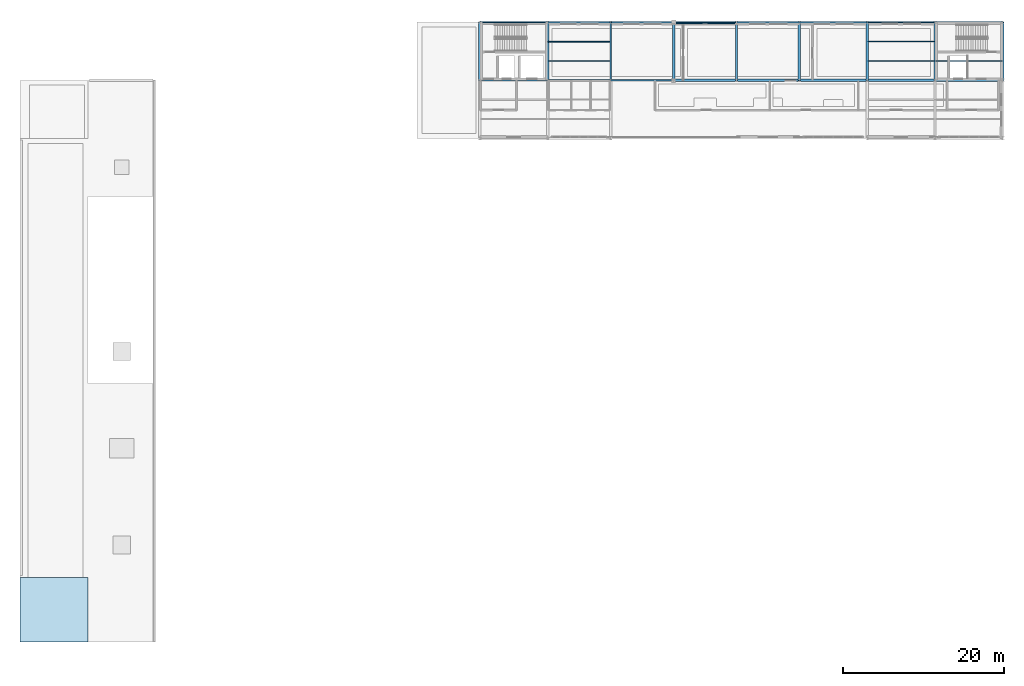
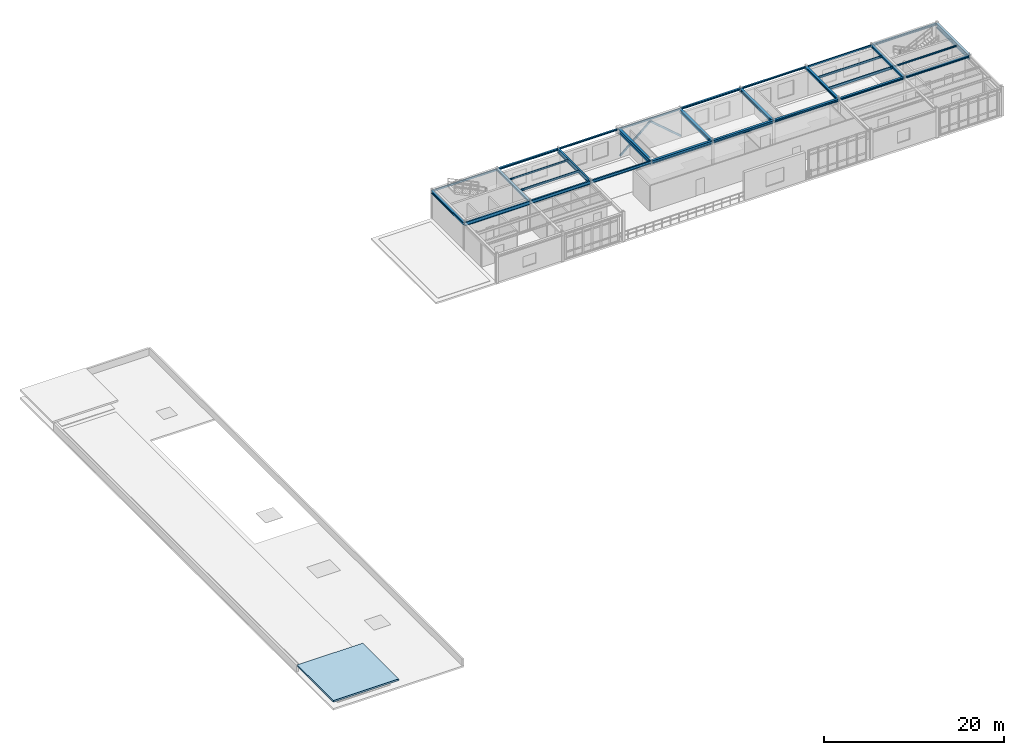
# One storey, part 8 of 20: 30 beams, 2 members, 1 slab.
"""IFC4 building model written with IfcOpenShell, lengths in metres."""

from ifc_helpers import new_model, si_unit, derived_unit, direction, frame, origin, origin_2d, place, context, subcontext, project, spatial, polyline, hollow_rectangle, i_section, outline, extrude, material, layer, layer_set, material_profile, profile_set, type_object, element, save


model = new_model("IFC4")

# Units and contexts
model_context = context("Model", 3, precision=1e-05, world=origin(), true_north=direction((0.0, 1.0)))
body_context = subcontext(model_context, "Body", "Model", "MODEL_VIEW")
ifc_project = project(units=[si_unit("LENGTHUNIT", "METRE"), si_unit("AREAUNIT", "SQUARE_METRE"), si_unit("VOLUMEUNIT", "CUBIC_METRE"), si_unit("PLANEANGLEUNIT", "RADIAN"), si_unit("MASSUNIT", "GRAM", prefix="KILO"), derived_unit("THERMALTRANSMITTANCEUNIT", [(si_unit("POWERUNIT", "WATT"), 1), (si_unit("AREAUNIT", "SQUARE_METRE"), -1), (si_unit("THERMODYNAMICTEMPERATUREUNIT", "KELVIN"), -1)])], contexts=[model_context])

# Site, building, storey
site_placement = place(None, origin())
site = spatial("IfcSite", under=ifc_project, at=site_placement, CompositionType="ELEMENT")
building_placement = place(site_placement, origin())
building = spatial("IfcBuilding", under=site, at=building_placement, Name="Yasenodar Specialist Clinic", CompositionType="ELEMENT")
storey_placement = place(building_placement, frame((0.0, 0.0, 25.35009765625)))
storey = spatial("IfcBuildingStorey", under=building, at=storey_placement, Name="L06", CompositionType="ELEMENT", Elevation=25.35009765625)

# Beams
ifc_material_1 = material(Name="Steel S355", Category="steel")
ifc_material_profile_1 = material_profile(ifc_material_1, i_section(OverallWidth=0.260009765625, OverallDepth=0.25, WebThickness=0.007568359375, FlangeThickness=0.012451171875, FilletRadius=0.02392578125, at=origin_2d()), Name="HEA 260")
ifc_profile_set_1 = profile_set([ifc_material_profile_1], Name="Steel S355")
beam_type_1 = type_object("IfcBeamType", Name="BM-HEA260", PredefinedType="BEAM", material=ifc_profile_set_1)
beam_1_placement = place(storey_placement, frame((113.39990234375, 104.39990234375, 3.684814453125), z_axis=(1.0, 0.0, 0.0), x_axis=(0.0, 1.0, 0.0)))
element("IfcBeam", 1, at=beam_1_placement, inside=storey, type_object=beam_type_1, Name="L06 Primary E-W Girder", PredefinedType="BEAM", context=body_context, shape_type="SweptSolid", body=[
    extrude(i_section(OverallWidth=0.260009765625, OverallDepth=0.25, WebThickness=0.007568359375, FlangeThickness=0.012451171875, FilletRadius=0.02392578125, at=origin_2d()), origin(), (0.0, 0.0, 1.0), 8.400146484375),
])
ifc_material_profile_2 = material_profile(ifc_material_1, i_section(OverallWidth=0.280029296875, OverallDepth=0.27001953125, WebThickness=0.008056640625, FlangeThickness=0.012939453125, FilletRadius=0.02392578125, at=origin_2d()), Name="HEA 280")
ifc_profile_set_2 = profile_set([ifc_material_profile_2], Name="Steel S355")
beam_type_2 = type_object("IfcBeamType", Name="BM-HEA280", PredefinedType="BEAM", material=ifc_profile_set_2)
beam_2_placement = place(storey_placement, frame((105.0, 104.39990234375, 3.6748046875), z_axis=(1.0, 0.0, 0.0), x_axis=(0.0, 1.0, 0.0)))
element("IfcBeam", 2, at=beam_2_placement, inside=storey, type_object=beam_type_2, Name="L06 Primary E-W Girder", PredefinedType="BEAM", context=body_context, shape_type="SweptSolid", body=[
    extrude(i_section(OverallWidth=0.280029296875, OverallDepth=0.27001953125, WebThickness=0.008056640625, FlangeThickness=0.012939453125, FilletRadius=0.02392578125, at=origin_2d()), origin(), (0.0, 0.0, 1.0), 8.39990234375),
])
ifc_material_profile_3 = material_profile(ifc_material_1, i_section(OverallWidth=0.300048828125, OverallDepth=0.2900390625, WebThickness=0.008544921875, FlangeThickness=0.013916015625, FilletRadius=0.027099609375, at=origin_2d()), Name="HEA 300")
ifc_profile_set_3 = profile_set([ifc_material_profile_3], Name="Steel S355")
beam_type_3 = type_object("IfcBeamType", Name="BM-HEA300", PredefinedType="BEAM", material=ifc_profile_set_3)
beam_3_placement = place(storey_placement, frame((113.39990234375, 104.39990234375, 3.664794921875), z_axis=(0.0, 1.0, 0.0), x_axis=(-1.0, 0.0, 0.0)))
element("IfcBeam", 3, at=beam_3_placement, inside=storey, type_object=beam_type_3, Name="L06 Primary N-S Girder", PredefinedType="BEAM", context=body_context, shape_type="SweptSolid", body=[
    extrude(i_section(OverallWidth=0.300048828125, OverallDepth=0.2900390625, WebThickness=0.008544921875, FlangeThickness=0.013916015625, FilletRadius=0.027099609375, at=origin_2d()), origin(), (0.0, 0.0, 1.0), 7.2001953125),
])
ifc_material_profile_4 = material_profile(ifc_material_1, i_section(OverallWidth=0.300048828125, OverallDepth=0.330078125, WebThickness=0.009521484375, FlangeThickness=0.0166015625, FilletRadius=0.027099609375, at=origin_2d()), Name="HEA 340")
ifc_profile_set_4 = profile_set([ifc_material_profile_4], Name="Steel S355")
beam_type_4 = type_object("IfcBeamType", Name="BM-HEA340", PredefinedType="BEAM", material=ifc_profile_set_4)
beam_4_placement = place(storey_placement, frame((96.60009765625, 104.39990234375, 3.64501953125), z_axis=(1.0, 0.0, 0.0), x_axis=(0.0, 1.0, 0.0)))
element("IfcBeam", 4, at=beam_4_placement, inside=storey, type_object=beam_type_4, Name="L06 Primary E-W Girder", PredefinedType="BEAM", context=body_context, shape_type="SweptSolid", body=[
    extrude(i_section(OverallWidth=0.300048828125, OverallDepth=0.330078125, WebThickness=0.009521484375, FlangeThickness=0.0166015625, FilletRadius=0.027099609375, at=origin_2d()), origin(), (0.0, 0.0, 1.0), 8.39990234375),
])
ifc_material_profile_5 = material_profile(ifc_material_1, i_section(OverallWidth=0.300048828125, OverallDepth=0.389892578125, WebThickness=0.010986328125, FlangeThickness=0.01904296875, FilletRadius=0.027099609375, at=origin_2d()), Name="HEA 400")
ifc_profile_set_5 = profile_set([ifc_material_profile_5], Name="Steel S355")
beam_type_5 = type_object("IfcBeamType", Name="BM-HEA400", PredefinedType="BEAM", material=ifc_profile_set_5)
beam_5_placement = place(storey_placement, frame((88.800048828125, 104.39990234375, 3.614990234375), z_axis=(1.0, 0.0, 0.0), x_axis=(0.0, 1.0, 0.0)))
element("IfcBeam", 5, at=beam_5_placement, inside=storey, type_object=beam_type_5, Name="L06 Primary E-W Girder", PredefinedType="BEAM", context=body_context, shape_type="SweptSolid", body=[
    extrude(i_section(OverallWidth=0.300048828125, OverallDepth=0.389892578125, WebThickness=0.010986328125, FlangeThickness=0.01904296875, FilletRadius=0.027099609375, at=origin_2d()), origin(), (0.0, 0.0, 1.0), 7.800048828125),
])
ifc_material_profile_6 = material_profile(ifc_material_1, i_section(OverallWidth=0.300048828125, OverallDepth=0.43994140625, WebThickness=0.011474609375, FlangeThickness=0.02099609375, FilletRadius=0.027099609375, at=origin_2d()), Name="HEA 450")
ifc_profile_set_6 = profile_set([ifc_material_profile_6], Name="Steel S355")
beam_type_6 = type_object("IfcBeamType", Name="BM-HEA450", PredefinedType="BEAM", material=ifc_profile_set_6)
beam_6_placement = place(storey_placement, frame((81.0, 104.39990234375, 3.58984375), z_axis=(1.0, 0.0, 0.0), x_axis=(0.0, 1.0, 0.0)))
element("IfcBeam", 6, at=beam_6_placement, inside=storey, type_object=beam_type_6, Name="L06 Primary E-W Girder", PredefinedType="BEAM", context=body_context, shape_type="SweptSolid", body=[
    extrude(i_section(OverallWidth=0.300048828125, OverallDepth=0.43994140625, WebThickness=0.011474609375, FlangeThickness=0.02099609375, FilletRadius=0.027099609375, at=origin_2d()), origin(), (0.0, 0.0, 1.0), 7.800048828125),
])
ifc_material_profile_7 = material_profile(ifc_material_1, i_section(OverallWidth=0.280029296875, OverallDepth=0.280029296875, WebThickness=0.010498046875, FlangeThickness=0.01806640625, FilletRadius=0.02392578125, at=origin_2d()), Name="HEB 280")
ifc_profile_set_7 = profile_set([ifc_material_profile_7], Name="Steel S355")
beam_type_7 = type_object("IfcBeamType", Name="BM-HEB280", PredefinedType="BEAM", material=ifc_profile_set_7)
beam_7_placement = place(storey_placement, frame((65.39990234375, 104.39990234375, 3.669921875), z_axis=(0.0, 1.0, 0.0), x_axis=(-1.0, 0.0, 0.0)))
element("IfcBeam", 7, at=beam_7_placement, inside=storey, type_object=beam_type_7, Name="L06 Primary N-S Girder", PredefinedType="BEAM", context=body_context, shape_type="SweptSolid", body=[
    extrude(i_section(OverallWidth=0.280029296875, OverallDepth=0.280029296875, WebThickness=0.010498046875, FlangeThickness=0.01806640625, FilletRadius=0.02392578125, at=origin_2d()), origin(), (0.0, 0.0, 1.0), 7.2001953125),
])
ifc_material_profile_8 = material_profile(ifc_material_1, i_section(OverallWidth=0.300048828125, OverallDepth=0.300048828125, WebThickness=0.010986328125, FlangeThickness=0.01904296875, FilletRadius=0.027099609375, at=origin_2d()), Name="HEB 300")
ifc_profile_set_8 = profile_set([ifc_material_profile_8], Name="Steel S355")
beam_type_8 = type_object("IfcBeamType", Name="BM-HEB300", PredefinedType="BEAM", material=ifc_profile_set_8)
beam_8_placement = place(storey_placement, frame((105.0, 104.39990234375, 3.659912109375), z_axis=(0.0, 1.0, 0.0), x_axis=(-1.0, 0.0, 0.0)))
element("IfcBeam", 8, at=beam_8_placement, inside=storey, type_object=beam_type_8, Name="L06 Primary N-S Girder", PredefinedType="BEAM", context=body_context, shape_type="SweptSolid", body=[
    extrude(i_section(OverallWidth=0.300048828125, OverallDepth=0.300048828125, WebThickness=0.010986328125, FlangeThickness=0.01904296875, FilletRadius=0.027099609375, at=origin_2d()), origin(), (0.0, 0.0, 1.0), 7.2001953125),
])
ifc_material_profile_9 = material_profile(ifc_material_1, i_section(OverallWidth=0.300048828125, OverallDepth=0.340087890625, WebThickness=0.011962890625, FlangeThickness=0.021484375, FilletRadius=0.027099609375, at=origin_2d()), Name="HEB 340")
ifc_profile_set_9 = profile_set([ifc_material_profile_9], Name="Steel S355")
beam_type_9 = type_object("IfcBeamType", Name="BM-HEB340", PredefinedType="BEAM", material=ifc_profile_set_9)
beam_9_placement = place(storey_placement, frame((57.0, 104.39990234375, 3.639892578125), z_axis=(0.0, 1.0, 0.0), x_axis=(-1.0, 0.0, 0.0)))
element("IfcBeam", 9, at=beam_9_placement, inside=storey, type_object=beam_type_9, Name="L06 Primary N-S Girder", PredefinedType="BEAM", context=body_context, shape_type="SweptSolid", body=[
    extrude(i_section(OverallWidth=0.300048828125, OverallDepth=0.340087890625, WebThickness=0.011962890625, FlangeThickness=0.021484375, FilletRadius=0.027099609375, at=origin_2d()), origin(), (0.0, 0.0, 1.0), 7.2001953125),
])
ifc_material_profile_10 = material_profile(ifc_material_1, i_section(OverallWidth=0.300048828125, OverallDepth=0.39990234375, WebThickness=0.013427734375, FlangeThickness=0.02392578125, FilletRadius=0.027099609375, at=origin_2d()), Name="HEB 400")
ifc_profile_set_10 = profile_set([ifc_material_profile_10], Name="Steel S355")
beam_type_10 = type_object("IfcBeamType", Name="BM-HEB400", PredefinedType="BEAM", material=ifc_profile_set_10)
beam_10_placement = place(storey_placement, frame((96.60009765625, 104.39990234375, 3.60986328125), z_axis=(0.0, 1.0, 0.0), x_axis=(-1.0, 0.0, 0.0)))
element("IfcBeam", 10, at=beam_10_placement, inside=storey, type_object=beam_type_10, Name="L06 Primary N-S Girder", PredefinedType="BEAM", context=body_context, shape_type="SweptSolid", body=[
    extrude(i_section(OverallWidth=0.300048828125, OverallDepth=0.39990234375, WebThickness=0.013427734375, FlangeThickness=0.02392578125, FilletRadius=0.027099609375, at=origin_2d()), origin(), (0.0, 0.0, 1.0), 7.2001953125),
])
ifc_material_profile_11 = material_profile(ifc_material_1, i_section(OverallWidth=0.300048828125, OverallDepth=0.449951171875, WebThickness=0.013916015625, FlangeThickness=0.02587890625, FilletRadius=0.027099609375, at=origin_2d()), Name="HEB 450")
ifc_profile_set_11 = profile_set([ifc_material_profile_11], Name="Steel S355")
beam_type_11 = type_object("IfcBeamType", Name="BM-HEB450", PredefinedType="BEAM", material=ifc_profile_set_11)
beam_11_placement = place(storey_placement, frame((88.800048828125, 104.39990234375, 3.5849609375), z_axis=(0.0, 1.0, 0.0), x_axis=(-1.0, 0.0, 0.0)))
element("IfcBeam", 11, at=beam_11_placement, inside=storey, type_object=beam_type_11, Name="L06 Primary N-S Girder", PredefinedType="BEAM", context=body_context, shape_type="SweptSolid", body=[
    extrude(i_section(OverallWidth=0.300048828125, OverallDepth=0.449951171875, WebThickness=0.013916015625, FlangeThickness=0.02587890625, FilletRadius=0.027099609375, at=origin_2d()), origin(), (0.0, 0.0, 1.0), 7.2001953125),
])
ifc_material_profile_12 = material_profile(ifc_material_1, i_section(OverallWidth=0.300048828125, OverallDepth=0.60009765625, WebThickness=0.015380859375, FlangeThickness=0.030029296875, FilletRadius=0.027099609375, at=origin_2d()), Name="HEB 600")
ifc_profile_set_12 = profile_set([ifc_material_profile_12], Name="Steel S355")
beam_type_12 = type_object("IfcBeamType", Name="BM-HEB600", PredefinedType="BEAM", material=ifc_profile_set_12)
for number, where, z_axis, x_axis, name in (
    (12, (81.0, 104.39990234375, 3.510009765625), (0.0, 1.0, 0.0), (-1.0, 0.0, 0.0), "L06 Primary N-S Girder"),
    (13, (121.800048828125, 104.39990234375, 3.510009765625), (0.0, 1.0, 0.0), (-1.0, 0.0, 0.0), "L06 Primary N-S Girder"),
):
    element("IfcBeam", number, at=place(storey_placement, frame(where, z_axis=z_axis, x_axis=x_axis)), inside=storey, type_object=beam_type_12, Name=name, PredefinedType="BEAM", context=body_context, shape_type="SweptSolid", body=[
        extrude(i_section(OverallWidth=0.300048828125, OverallDepth=0.60009765625, WebThickness=0.015380859375, FlangeThickness=0.030029296875, FilletRadius=0.027099609375, at=origin_2d()), origin(), (0.0, 0.0, 1.0), 7.2001953125),
    ])
ifc_material_profile_13 = material_profile(ifc_material_1, i_section(OverallWidth=0.179931640625, OverallDepth=0.39990234375, WebThickness=0.008544921875, FlangeThickness=0.013427734375, FilletRadius=0.02099609375, at=origin_2d()), Name="IPE 400")
ifc_profile_set_13 = profile_set([ifc_material_profile_13], Name="Steel S355")
beam_type_13 = type_object("IfcBeamType", Name="BM-IPE400", PredefinedType="BEAM", material=ifc_profile_set_13)
beam_12_placement = place(storey_placement, frame((73.199951171875, 104.39990234375, 3.60986328125), z_axis=(1.0, 0.0, 0.0), x_axis=(0.0, 1.0, 0.0)))
element("IfcBeam", 14, at=beam_12_placement, inside=storey, type_object=beam_type_13, Name="L06 Primary E-W Girder", PredefinedType="BEAM", context=body_context, shape_type="SweptSolid", body=[
    extrude(i_section(OverallWidth=0.179931640625, OverallDepth=0.39990234375, WebThickness=0.008544921875, FlangeThickness=0.013427734375, FilletRadius=0.02099609375, at=origin_2d()), origin(), (0.0, 0.0, 1.0), 7.800048828125),
])
ifc_material_profile_14 = material_profile(ifc_material_1, i_section(OverallWidth=0.18994140625, OverallDepth=0.449951171875, WebThickness=0.009521484375, FlangeThickness=0.0146484375, FilletRadius=0.02099609375, at=origin_2d()), Name="IPE 450")
ifc_profile_set_14 = profile_set([ifc_material_profile_14], Name="Steel S355")
beam_type_14 = type_object("IfcBeamType", Name="BM-IPE450", PredefinedType="BEAM", material=ifc_profile_set_14)
beam_13_placement = place(storey_placement, frame((65.39990234375, 104.39990234375, 3.5849609375), z_axis=(1.0, 0.0, 0.0), x_axis=(0.0, 1.0, 0.0)))
element("IfcBeam", 15, at=beam_13_placement, inside=storey, type_object=beam_type_14, Name="L06 Primary E-W Girder", PredefinedType="BEAM", context=body_context, shape_type="SweptSolid", body=[
    extrude(i_section(OverallWidth=0.18994140625, OverallDepth=0.449951171875, WebThickness=0.009521484375, FlangeThickness=0.0146484375, FilletRadius=0.02099609375, at=origin_2d()), origin(), (0.0, 0.0, 1.0), 7.800048828125),
])
ifc_material_profile_15 = material_profile(ifc_material_1, i_section(OverallWidth=0.199951171875, OverallDepth=0.5, WebThickness=0.01025390625, FlangeThickness=0.01611328125, FilletRadius=0.02099609375, at=origin_2d()), Name="IPE 500")
ifc_profile_set_15 = profile_set([ifc_material_profile_15], Name="Steel S355")
beam_type_15 = type_object("IfcBeamType", Name="BM-IPE500", PredefinedType="BEAM", material=ifc_profile_set_15)
beam_14_placement = place(storey_placement, frame((57.0, 104.39990234375, 3.559814453125), z_axis=(1.0, 0.0, 0.0), x_axis=(0.0, 1.0, 0.0)))
element("IfcBeam", 16, at=beam_14_placement, inside=storey, type_object=beam_type_15, Name="L06 Primary E-W Girder", PredefinedType="BEAM", context=body_context, shape_type="SweptSolid", body=[
    extrude(i_section(OverallWidth=0.199951171875, OverallDepth=0.5, WebThickness=0.01025390625, FlangeThickness=0.01611328125, FilletRadius=0.02099609375, at=origin_2d()), origin(), (0.0, 0.0, 1.0), 8.39990234375),
])
ifc_material_profile_16 = material_profile(ifc_material_1, i_section(OverallWidth=0.2099609375, OverallDepth=0.550048828125, WebThickness=0.010986328125, FlangeThickness=0.01708984375, FilletRadius=0.02392578125, at=origin_2d()), Name="IPE 550")
ifc_profile_set_16 = profile_set([ifc_material_profile_16], Name="Steel S355")
beam_type_16 = type_object("IfcBeamType", Name="BM-IPE550", PredefinedType="BEAM", material=ifc_profile_set_16)
beam_15_placement = place(storey_placement, frame((73.199951171875, 104.39990234375, 3.534912109375), z_axis=(0.0, 1.0, 0.0), x_axis=(-1.0, 0.0, 0.0)))
element("IfcBeam", 17, at=beam_15_placement, inside=storey, type_object=beam_type_16, Name="L06 Primary N-S Girder", PredefinedType="BEAM", context=body_context, shape_type="SweptSolid", body=[
    extrude(i_section(OverallWidth=0.2099609375, OverallDepth=0.550048828125, WebThickness=0.010986328125, FlangeThickness=0.01708984375, FilletRadius=0.02392578125, at=origin_2d()), origin(), (0.0, 0.0, 1.0), 7.2001953125),
])

# Members
ifc_material_profile_17 = material_profile(ifc_material_1, hollow_rectangle(XDim=0.14990234375, YDim=0.25, WallThickness=0.010009765625, InnerFilletRadius=0.014892578125, OuterFilletRadius=0.02490234375, at=origin_2d()), Name="RHS 250x150x10")
ifc_profile_set_17 = profile_set([ifc_material_profile_17], Name="Steel S355")
member_type = type_object("IfcMemberType", Name="BR-LAT-RHS250", PredefinedType="BRACE", material=ifc_profile_set_17)
for number, where, z_axis, x_axis, name in (
    (18, (81.0, 111.425048828125, 0.14990234375), (0.758552238015, 0.0, 0.651612233006), (0.0, 1.0, 0.0), "L06 Lateral Chevron Brace 10A"),
    (19, (88.800048828125, 111.425048828125, 0.14990234375), (-0.758572399699, 0.0, 0.651588761732), (0.0, -1.0, 0.0), "L06 Lateral Chevron Brace 10B"),
):
    element("IfcMember", number, at=place(storey_placement, frame(where, z_axis=z_axis, x_axis=x_axis)), inside=storey, type_object=member_type, Name=name, PredefinedType="BRACE", context=body_context, shape_type="SweptSolid", body=[
        extrude(hollow_rectangle(XDim=0.14990234375, YDim=0.25, WallThickness=0.010009765625, InnerFilletRadius=0.014892578125, OuterFilletRadius=0.02490234375, at=origin_2d()), origin(), (0.0, 0.0, 1.0), 5.141357421875),
    ])

# Beams
ifc_material_profile_18 = material_profile(ifc_material_1, i_section(OverallWidth=0.110107421875, OverallDepth=0.219970703125, WebThickness=0.005859375, FlangeThickness=0.00927734375, FilletRadius=0.011962890625, at=origin_2d()), Name="IPE 220")
ifc_profile_set_18 = profile_set([ifc_material_profile_18], Name="Steel S355")
beam_type_17 = type_object("IfcBeamType", Name="JS-IPE220", PredefinedType="JOIST", material=ifc_profile_set_18)
beam_16_placement = place(storey_placement, frame((65.47998046875, 109.199951171875, 3.699951171875), z_axis=(1.0, 0.0, 0.0), x_axis=(0.0, 1.0, 0.0)))
element("IfcBeam", 20, at=beam_16_placement, inside=storey, type_object=beam_type_17, Name="L06 Composite Floor Joist", PredefinedType="JOIST", context=body_context, shape_type="SweptSolid", body=[
    extrude(i_section(OverallWidth=0.110107421875, OverallDepth=0.219970703125, WebThickness=0.005859375, FlangeThickness=0.00927734375, FilletRadius=0.011962890625, at=origin_2d()), origin(), (0.0, 0.0, 1.0), 7.64013671875),
])
beam_17_placement = place(storey_placement, frame((113.47998046875, 106.800048828125, 3.699951171875), z_axis=(1.0, 0.0, 0.0), x_axis=(0.0, 1.0, 0.0)))
element("IfcBeam", 21, at=beam_17_placement, inside=storey, type_object=beam_type_17, Name="L06 Composite Floor Joist", PredefinedType="JOIST", context=body_context, shape_type="SweptSolid", body=[
    extrude(i_section(OverallWidth=0.110107421875, OverallDepth=0.219970703125, WebThickness=0.005859375, FlangeThickness=0.00927734375, FilletRadius=0.011962890625, at=origin_2d()), origin(), (0.0, 0.0, 1.0), 8.239990234375),
])
ifc_material_profile_19 = material_profile(ifc_material_1, i_section(OverallWidth=0.135009765625, OverallDepth=0.27001953125, WebThickness=0.006591796875, FlangeThickness=0.01025390625, FilletRadius=0.014892578125, at=origin_2d()), Name="IPE 270")
ifc_profile_set_19 = profile_set([ifc_material_profile_19], Name="Steel S355")
beam_type_18 = type_object("IfcBeamType", Name="JS-IPE270", PredefinedType="JOIST", material=ifc_profile_set_19)
beam_18_placement = place(storey_placement, frame((65.47998046875, 106.800048828125, 3.6748046875), z_axis=(1.0, 0.0, 0.0), x_axis=(0.0, 1.0, 0.0)))
element("IfcBeam", 22, at=beam_18_placement, inside=storey, type_object=beam_type_18, Name="L06 Composite Floor Joist", PredefinedType="JOIST", context=body_context, shape_type="SweptSolid", body=[
    extrude(i_section(OverallWidth=0.135009765625, OverallDepth=0.27001953125, WebThickness=0.006591796875, FlangeThickness=0.01025390625, FilletRadius=0.014892578125, at=origin_2d()), origin(), (0.0, 0.0, 1.0), 7.64013671875),
])
beam_19_placement = place(storey_placement, frame((105.080078125, 109.199951171875, 3.6748046875), z_axis=(1.0, 0.0, 0.0), x_axis=(0.0, 1.0, 0.0)))
element("IfcBeam", 23, at=beam_19_placement, inside=storey, type_object=beam_type_18, Name="L06 Composite Floor Joist", PredefinedType="JOIST", context=body_context, shape_type="SweptSolid", body=[
    extrude(i_section(OverallWidth=0.135009765625, OverallDepth=0.27001953125, WebThickness=0.006591796875, FlangeThickness=0.01025390625, FilletRadius=0.014892578125, at=origin_2d()), origin(), (0.0, 0.0, 1.0), 8.239990234375),
])
ifc_material_profile_20 = material_profile(ifc_material_1, i_section(OverallWidth=0.159912109375, OverallDepth=0.330078125, WebThickness=0.007568359375, FlangeThickness=0.011474609375, FilletRadius=0.01806640625, at=origin_2d()), Name="IPE 330")
ifc_profile_set_20 = profile_set([ifc_material_profile_20], Name="Steel S355")
beam_type_19 = type_object("IfcBeamType", Name="JS-IPE330", PredefinedType="JOIST", material=ifc_profile_set_20)
beam_20_placement = place(storey_placement, frame((105.080078125, 106.800048828125, 3.64501953125), z_axis=(1.0, 0.0, 0.0), x_axis=(0.0, 1.0, 0.0)))
element("IfcBeam", 24, at=beam_20_placement, inside=storey, type_object=beam_type_19, Name="L06 Composite Floor Joist", PredefinedType="JOIST", context=body_context, shape_type="SweptSolid", body=[
    extrude(i_section(OverallWidth=0.159912109375, OverallDepth=0.330078125, WebThickness=0.007568359375, FlangeThickness=0.011474609375, FilletRadius=0.01806640625, at=origin_2d()), origin(), (0.0, 0.0, 1.0), 8.239990234375),
])
ifc_material_profile_21 = material_profile(ifc_material_1, i_section(OverallWidth=0.199951171875, OverallDepth=0.18994140625, WebThickness=0.006591796875, FlangeThickness=0.010009765625, FilletRadius=0.01806640625, at=origin_2d()), Name="HEA 200")
ifc_profile_set_21 = profile_set([ifc_material_profile_21], Name="Steel S355")
beam_type_20 = type_object("IfcBeamType", Name="SP-HEA200", PredefinedType="SPANDREL", material=ifc_profile_set_21)
beam_21_placement = place(storey_placement, frame((73.199951171875, 111.60009765625, 3.71484375), z_axis=(1.0, 0.0, 0.0), x_axis=(0.0, 1.0, 0.0)))
element("IfcBeam", 25, at=beam_21_placement, inside=storey, type_object=beam_type_20, Name="L06 Perimeter Spandrel Beam", PredefinedType="SPANDREL", context=body_context, shape_type="SweptSolid", body=[
    extrude(i_section(OverallWidth=0.199951171875, OverallDepth=0.18994140625, WebThickness=0.006591796875, FlangeThickness=0.010009765625, FilletRadius=0.01806640625, at=origin_2d()), origin(), (0.0, 0.0, 1.0), 7.800048828125),
])
beam_22_placement = place(storey_placement, frame((96.60009765625, 111.60009765625, 3.71484375), z_axis=(1.0, 0.0, 0.0), x_axis=(0.0, 1.0, 0.0)))
element("IfcBeam", 26, at=beam_22_placement, inside=storey, type_object=beam_type_20, Name="L06 Perimeter Spandrel Beam", PredefinedType="SPANDREL", context=body_context, shape_type="SweptSolid", body=[
    extrude(i_section(OverallWidth=0.199951171875, OverallDepth=0.18994140625, WebThickness=0.006591796875, FlangeThickness=0.010009765625, FilletRadius=0.01806640625, at=origin_2d()), origin(), (0.0, 0.0, 1.0), 8.39990234375),
])
ifc_material_profile_22 = material_profile(ifc_material_1, i_section(OverallWidth=0.239990234375, OverallDepth=0.22998046875, WebThickness=0.007568359375, FlangeThickness=0.011962890625, FilletRadius=0.02099609375, at=origin_2d()), Name="HEA 240")
ifc_profile_set_22 = profile_set([ifc_material_profile_22], Name="Steel S355")
beam_type_21 = type_object("IfcBeamType", Name="SP-HEA240", PredefinedType="SPANDREL", material=ifc_profile_set_22)
for number, where, z_axis, x_axis, name in (
    (27, (65.39990234375, 111.60009765625, 3.69482421875), (1.0, 0.0, 0.0), (0.0, 1.0, 0.0), "L06 Perimeter Spandrel Beam"),
    (28, (88.800048828125, 111.60009765625, 3.69482421875), (1.0, 0.0, 0.0), (0.0, 1.0, 0.0), "L06 Perimeter Spandrel Beam"),
):
    element("IfcBeam", number, at=place(storey_placement, frame(where, z_axis=z_axis, x_axis=x_axis)), inside=storey, type_object=beam_type_21, Name=name, PredefinedType="SPANDREL", context=body_context, shape_type="SweptSolid", body=[
        extrude(i_section(OverallWidth=0.239990234375, OverallDepth=0.22998046875, WebThickness=0.007568359375, FlangeThickness=0.011962890625, FilletRadius=0.02099609375, at=origin_2d()), origin(), (0.0, 0.0, 1.0), 7.800048828125),
    ])
beam_23_placement = place(storey_placement, frame((113.39990234375, 111.60009765625, 3.69482421875), z_axis=(1.0, 0.0, 0.0), x_axis=(0.0, 1.0, 0.0)))
element("IfcBeam", 29, at=beam_23_placement, inside=storey, type_object=beam_type_21, Name="L06 Perimeter Spandrel Beam", PredefinedType="SPANDREL", context=body_context, shape_type="SweptSolid", body=[
    extrude(i_section(OverallWidth=0.239990234375, OverallDepth=0.22998046875, WebThickness=0.007568359375, FlangeThickness=0.011962890625, FilletRadius=0.02099609375, at=origin_2d()), origin(), (0.0, 0.0, 1.0), 8.400146484375),
])
ifc_material_profile_23 = material_profile(ifc_material_1, hollow_rectangle(XDim=0.14990234375, YDim=0.25, WallThickness=0.010009765625, InnerFilletRadius=0.014892578125, OuterFilletRadius=0.02490234375, at=origin_2d()), Name="RHS 250x150x10")
ifc_profile_set_23 = profile_set([ifc_material_profile_23], Name="Steel S355")
beam_type_22 = type_object("IfcBeamType", Name="SP-RHS250", PredefinedType="SPANDREL", material=ifc_profile_set_23)
beam_24_placement = place(storey_placement, frame((57.0, 111.60009765625, 3.684814453125), z_axis=(1.0, 0.0, 0.0), x_axis=(0.0, 1.0, 0.0)))
element("IfcBeam", 30, at=beam_24_placement, inside=storey, type_object=beam_type_22, Name="L06 Perimeter Spandrel Beam", PredefinedType="SPANDREL", context=body_context, shape_type="SweptSolid", body=[
    extrude(hollow_rectangle(XDim=0.14990234375, YDim=0.25, WallThickness=0.010009765625, InnerFilletRadius=0.014892578125, OuterFilletRadius=0.02490234375, at=origin_2d()), origin(), (0.0, 0.0, 1.0), 8.39990234375),
])
beam_25_placement = place(storey_placement, frame((81.0, 111.60009765625, 3.684814453125), z_axis=(1.0, 0.0, 0.0), x_axis=(0.0, 1.0, 0.0)))
element("IfcBeam", 31, at=beam_25_placement, inside=storey, type_object=beam_type_22, Name="L06 Perimeter Spandrel Beam", PredefinedType="SPANDREL", context=body_context, shape_type="SweptSolid", body=[
    extrude(hollow_rectangle(XDim=0.14990234375, YDim=0.25, WallThickness=0.010009765625, InnerFilletRadius=0.014892578125, OuterFilletRadius=0.02490234375, at=origin_2d()), origin(), (0.0, 0.0, 1.0), 7.800048828125),
])
beam_26_placement = place(storey_placement, frame((105.0, 111.60009765625, 3.684814453125), z_axis=(1.0, 0.0, 0.0), x_axis=(0.0, 1.0, 0.0)))
element("IfcBeam", 32, at=beam_26_placement, inside=storey, type_object=beam_type_22, Name="L06 Perimeter Spandrel Beam", PredefinedType="SPANDREL", context=body_context, shape_type="SweptSolid", body=[
    extrude(hollow_rectangle(XDim=0.14990234375, YDim=0.25, WallThickness=0.010009765625, InnerFilletRadius=0.014892578125, OuterFilletRadius=0.02490234375, at=origin_2d()), origin(), (0.0, 0.0, 1.0), 8.39990234375),
])

# Slab
ifc_material_2 = material(Name="Concrete C30/37", Category="concrete")
ifc_layer = layer(ifc_material_2, 0.22509765625)
ifc_layer_set = layer_set([ifc_layer], Name="Concrete C30/37")
slab_type = type_object("IfcSlabType", Name="SLB-ROOF-225", PredefinedType="ROOF", material=ifc_layer_set)
slab_placement = place(storey_placement, frame((0.0, 0.0, 0.875)))
element("IfcSlab", 33, at=slab_placement, inside=storey, type_object=slab_type, Name="Core C1 Overrun Roof Slab", PredefinedType="ROOF", context=body_context, shape_type="SweptSolid", body=[
    extrude(outline(polyline([(0.0, 34.800048828125), (8.39990234375, 34.800048828125), (8.39990234375, 42.800048828125), (0.0, 42.800048828125), (0.0, 34.800048828125)])), origin(), (0.0, 0.0, 1.0), 0.224853515625),
])

save(model, "model.ifc")
